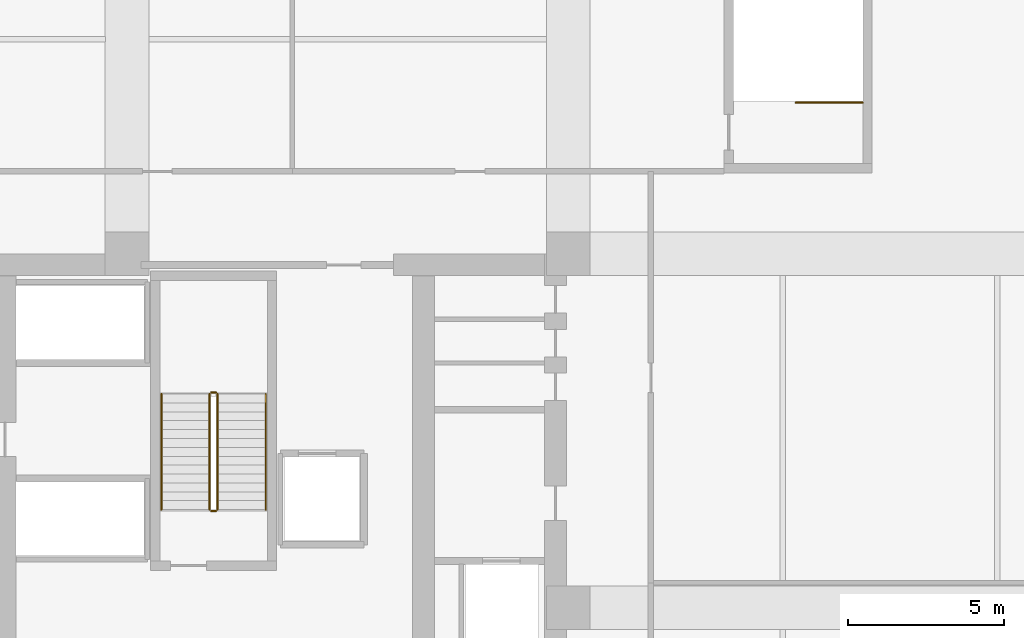
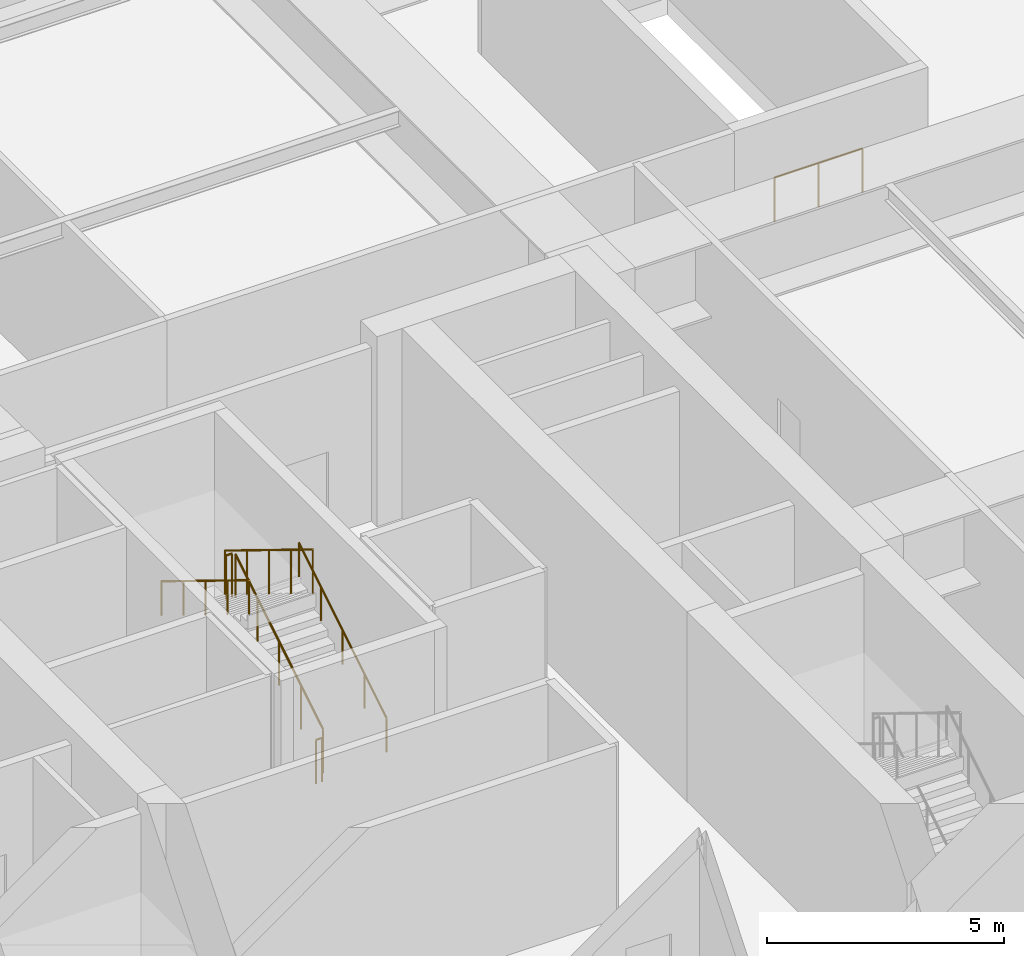
# One storey, part 8 of 8: 7 railings.
"""IFC4 building model written with IfcOpenShell, lengths in metres."""

from ifc_helpers import new_model, si_unit, direction, frame, origin, origin_2d, place, context, subcontext, project, spatial, circle, extrude, material, type_object, element, save


model = new_model("IFC4")

# Units and contexts
model_context = context("Model", 3, precision=1e-05, world=origin(), true_north=direction((0.0, 1.0)))
body_context = subcontext(model_context, "Body", "Model", "MODEL_VIEW")
ifc_project = project(units=[si_unit("LENGTHUNIT", "METRE"), si_unit("AREAUNIT", "SQUARE_METRE"), si_unit("VOLUMEUNIT", "CUBIC_METRE"), si_unit("PLANEANGLEUNIT", "RADIAN"), si_unit("MASSUNIT", "GRAM", prefix="KILO")], contexts=[model_context])

# Site, building, storey
site_placement = place(None, origin())
site = spatial("IfcSite", under=ifc_project, at=site_placement, CompositionType="ELEMENT")
building_placement = place(site_placement, origin())
building = spatial("IfcBuilding", under=site, at=building_placement, Name="Nhamokura Convention Tower", CompositionType="ELEMENT")
storey_placement = place(building_placement, frame((0.0, 0.0, 29.39990234375)))
storey = spatial("IfcBuildingStorey", under=building, at=storey_placement, Name="L05", CompositionType="ELEMENT", Elevation=29.39990234375)

# Railings
ifc_material_1 = material(Name="Anodised bronze stainless steel", Category="steel")
railing_type_1 = type_object("IfcRailingType", Name="StairWallHandrail_900", PredefinedType="HANDRAIL", material=ifc_material_1)
railing_1_placement = place(storey_placement, frame((33.64990234375, 35.14990234375, 0.175048828125)))
element("IfcRailing", 1, at=railing_1_placement, inside=storey, type_object=railing_type_1, Name="L05 ST-03 stair handrail 1", PredefinedType="HANDRAIL", context=body_context, shape_type="SweptSolid", body=[
    extrude(circle(Radius=0.02392578125, at=origin_2d()), frame((0.0, 0.0, 0.8759765625), z_axis=(0.0, 0.852161122236, 0.523279487224), x_axis=(-1.0, 0.0, 0.0)), (0.0, 0.0, 1.0), 4.347900390625),
    extrude(circle(Radius=0.02099609375, at=origin_2d()), origin(), (0.0, 0.0, 1.0), 0.851806640625),
    extrude(circle(Radius=0.02099609375, at=origin_2d()), frame((0.0, 0.92626953125, 0.56884765625)), (0.0, 0.0, 1.0), 0.851806640625),
    extrude(circle(Radius=0.02099609375, at=origin_2d()), frame((0.0, 1.8525390625, 1.1376953125)), (0.0, 0.0, 1.0), 0.851806640625),
    extrude(circle(Radius=0.02099609375, at=origin_2d()), frame((0.0, 2.77880859375, 1.706298828125)), (0.0, 0.0, 1.0), 0.851806640625),
    extrude(circle(Radius=0.02099609375, at=origin_2d()), frame((0.0, 3.705078125, 2.275146484375)), (0.0, 0.0, 1.0), 0.851806640625),
])
railing_2_placement = place(storey_placement, frame((30.300048828125, 38.85498046875, 2.625)))
element("IfcRailing", 2, at=railing_2_placement, inside=storey, type_object=railing_type_1, Name="L05 ST-03 stair handrail 2", PredefinedType="HANDRAIL", context=body_context, shape_type="SweptSolid", body=[
    extrude(circle(Radius=0.02392578125, at=origin_2d()), frame((0.0, 0.0, 0.8759765625), z_axis=(0.0, -0.852161122236, 0.523279487224), x_axis=(1.0, 0.0, 0.0)), (0.0, 0.0, 1.0), 4.347900390625),
    extrude(circle(Radius=0.02099609375, at=origin_2d()), origin(), (0.0, 0.0, 1.0), 0.851806640625),
    extrude(circle(Radius=0.02099609375, at=origin_2d()), frame((0.0, -0.92626953125, 0.56884765625)), (0.0, 0.0, 1.0), 0.851806640625),
    extrude(circle(Radius=0.02099609375, at=origin_2d()), frame((0.0, -1.8525390625, 1.1376953125)), (0.0, 0.0, 1.0), 0.851806640625),
    extrude(circle(Radius=0.02099609375, at=origin_2d()), frame((0.0, -2.77880859375, 1.706298828125)), (0.0, 0.0, 1.0), 0.851806640625),
    extrude(circle(Radius=0.02099609375, at=origin_2d()), frame((0.0, -3.705078125, 2.275146484375)), (0.0, 0.0, 1.0), 0.851806640625),
])
ifc_material_2 = material(Name="Painted tubular steel", Category="steel")
railing_type_2 = type_object("IfcRailingType", Name="StairWellGuardrail_1150", PredefinedType="GUARDRAIL", material=ifc_material_2)
railing_3_placement = place(storey_placement, frame((32.10009765625, 35.14990234375, 0.175048828125)))
element("IfcRailing", 3, at=railing_3_placement, inside=storey, type_object=railing_type_2, Name="L05 ST-03 stair guard 1", PredefinedType="GUARDRAIL", context=body_context, shape_type="SweptSolid", body=[
    extrude(circle(Radius=0.02392578125, at=origin_2d()), frame((0.0, 0.0, 1.1259765625), z_axis=(0.0, 0.852161122236, 0.523279487224), x_axis=(-1.0, 0.0, 0.0)), (0.0, 0.0, 1.0), 4.347900390625),
    extrude(circle(Radius=0.02099609375, at=origin_2d()), origin(), (0.0, 0.0, 1.0), 1.101806640625),
    extrude(circle(Radius=0.02099609375, at=origin_2d()), frame((0.0, 0.92626953125, 0.56884765625)), (0.0, 0.0, 1.0), 1.101806640625),
    extrude(circle(Radius=0.02099609375, at=origin_2d()), frame((0.0, 1.8525390625, 1.1376953125)), (0.0, 0.0, 1.0), 1.101806640625),
    extrude(circle(Radius=0.02099609375, at=origin_2d()), frame((0.0, 2.77880859375, 1.706298828125)), (0.0, 0.0, 1.0), 1.101806640625),
    extrude(circle(Radius=0.02099609375, at=origin_2d()), frame((0.0, 3.705078125, 2.275146484375)), (0.0, 0.0, 1.0), 1.101806640625),
])
railing_4_placement = place(storey_placement, frame((32.050048828125, 38.905029296875, 2.4501953125)))
element("IfcRailing", 4, at=railing_4_placement, inside=storey, type_object=railing_type_2, Name="L05 ST-03 stair guard 2", PredefinedType="GUARDRAIL", context=body_context, shape_type="SweptSolid", body=[
    extrude(circle(Radius=0.02392578125, at=origin_2d()), frame((0.0, 0.0, 1.1259765625), z_axis=(-1.0, 0.0, 0.0), x_axis=(0.0, -1.0, 0.0)), (0.0, 0.0, 1.0), 0.150146484375),
    extrude(circle(Radius=0.02099609375, at=origin_2d()), origin(), (0.0, 0.0, 1.0), 1.101806640625),
    extrude(circle(Radius=0.02099609375, at=origin_2d()), frame((-0.150146484375, 0.0, 0.0)), (0.0, 0.0, 1.0), 1.101806640625),
])
railing_5_placement = place(storey_placement, frame((31.85009765625, 38.85498046875, 2.625)))
element("IfcRailing", 5, at=railing_5_placement, inside=storey, type_object=railing_type_2, Name="L05 ST-03 stair guard 3", PredefinedType="GUARDRAIL", context=body_context, shape_type="SweptSolid", body=[
    extrude(circle(Radius=0.02392578125, at=origin_2d()), frame((0.0, 0.0, 1.1259765625), z_axis=(0.0, -0.852161122236, 0.523279487224), x_axis=(1.0, 0.0, 0.0)), (0.0, 0.0, 1.0), 4.347900390625),
    extrude(circle(Radius=0.02099609375, at=origin_2d()), origin(), (0.0, 0.0, 1.0), 1.101806640625),
    extrude(circle(Radius=0.02099609375, at=origin_2d()), frame((0.0, -0.92626953125, 0.56884765625)), (0.0, 0.0, 1.0), 1.101806640625),
    extrude(circle(Radius=0.02099609375, at=origin_2d()), frame((0.0, -1.8525390625, 1.1376953125)), (0.0, 0.0, 1.0), 1.101806640625),
    extrude(circle(Radius=0.02099609375, at=origin_2d()), frame((0.0, -2.77880859375, 1.706298828125)), (0.0, 0.0, 1.0), 1.101806640625),
    extrude(circle(Radius=0.02099609375, at=origin_2d()), frame((0.0, -3.705078125, 2.275146484375)), (0.0, 0.0, 1.0), 1.101806640625),
])
railing_6_placement = place(storey_placement, frame((32.050048828125, 35.10009765625, 0.0)))
element("IfcRailing", 6, at=railing_6_placement, inside=storey, type_object=railing_type_2, Name="L05 ST-03 stair guard 4", PredefinedType="GUARDRAIL", context=body_context, shape_type="SweptSolid", body=[
    extrude(circle(Radius=0.02392578125, at=origin_2d()), frame((0.0, 0.0, 1.1259765625), z_axis=(-1.0, 0.0, 0.0), x_axis=(0.0, -1.0, 0.0)), (0.0, 0.0, 1.0), 0.150146484375),
    extrude(circle(Radius=0.02099609375, at=origin_2d()), origin(), (0.0, 0.0, 1.0), 1.101806640625),
    extrude(circle(Radius=0.02099609375, at=origin_2d()), frame((-0.150146484375, 0.0, 0.0)), (0.0, 0.0, 1.0), 1.101806640625),
])
railing_7_placement = place(storey_placement, frame((52.800048828125, 48.199951171875, 0.0)))
element("IfcRailing", 7, at=railing_7_placement, inside=storey, type_object=railing_type_2, Name="L05 ST-05 top well guard 1", PredefinedType="GUARDRAIL", context=body_context, shape_type="SweptSolid", body=[
    extrude(circle(Radius=0.02392578125, at=origin_2d()), frame((0.0, 0.0, 1.1259765625), z_axis=(-1.0, 0.0, 0.0), x_axis=(0.0, -1.0, 0.0)), (0.0, 0.0, 1.0), 2.150146484375),
    extrude(circle(Radius=0.02099609375, at=origin_2d()), origin(), (0.0, 0.0, 1.0), 1.101806640625),
    extrude(circle(Radius=0.02099609375, at=origin_2d()), frame((-1.0751953125, 0.0, 0.0)), (0.0, 0.0, 1.0), 1.101806640625),
    extrude(circle(Radius=0.02099609375, at=origin_2d()), frame((-2.150146484375, 0.0, 0.0)), (0.0, 0.0, 1.0), 1.101806640625),
])

save(model, "model.ifc")
